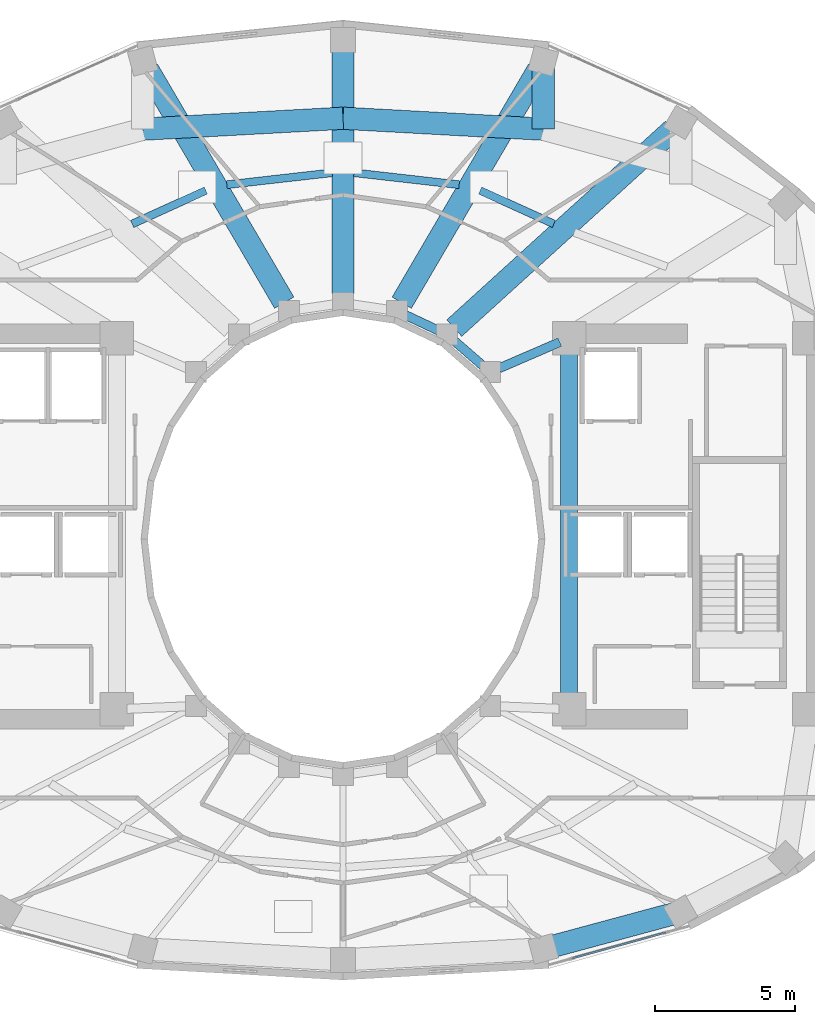
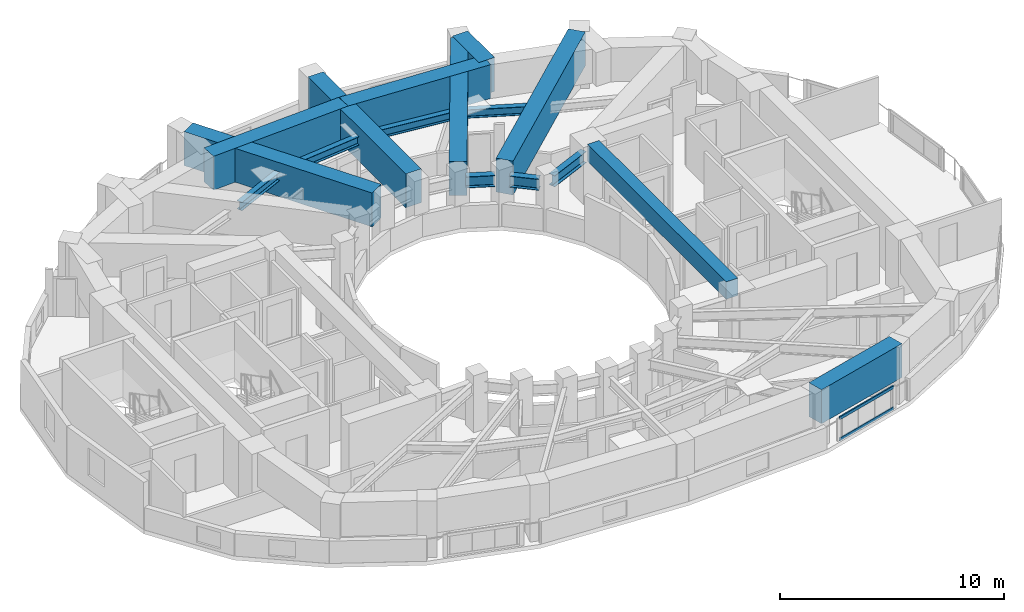
# One storey, part 7 of 20: 16 beams, 2 members, 1 element without a shape of its own.
"""IFC4 building model written with IfcOpenShell, lengths in metres."""

from ifc_helpers import new_model, si_unit, direction, frame, origin, origin_2d, place, context, subcontext, project, spatial, rectangle, hollow_rectangle, i_section, extrude, material, layer, layer_set, material_profile, profile_set, type_object, element, aggregate, save


model = new_model("IFC4")

# Units and contexts
model_context = context("Model", 3, precision=1e-05, world=origin(), true_north=direction((0.0, 1.0)))
body_context = subcontext(model_context, "Body", "Model", "MODEL_VIEW")
ifc_project = project(units=[si_unit("LENGTHUNIT", "METRE"), si_unit("AREAUNIT", "SQUARE_METRE"), si_unit("VOLUMEUNIT", "CUBIC_METRE"), si_unit("PLANEANGLEUNIT", "RADIAN"), si_unit("MASSUNIT", "GRAM", prefix="KILO")], contexts=[model_context])

# Site, building, storey
site_placement = place(None, origin())
site = spatial("IfcSite", under=ifc_project, at=site_placement, CompositionType="ELEMENT")
building_placement = place(site_placement, origin())
building = spatial("IfcBuilding", under=site, at=building_placement, Name="Solvane Sanctuary Tower", CompositionType="ELEMENT")
storey_placement = place(building_placement, frame((0.0, 0.0, 159.10009765625)))
storey = spatial("IfcBuildingStorey", under=building, at=storey_placement, Name="L48", CompositionType="ELEMENT", Elevation=159.10009765625)

# Beams
ifc_material_1 = material(Name="Concrete C70/85", Category="concrete")
ifc_material_profile_1 = material_profile(ifc_material_1, rectangle(XDim=0.60009765625, YDim=0.949951171875, at=origin_2d()), Name="RC600X950")
ifc_profile_set_1 = profile_set([ifc_material_profile_1], Name="Concrete C70/85")
beam_type_1 = type_object("IfcBeamType", Name="Beam B-COUPLE RC600X950", PredefinedType="LINTEL", material=ifc_profile_set_1)
beam_1_placement = place(storey_placement, frame((40.10009765625, 17.35009765625, 2.625), z_axis=(0.0, 1.0, 0.0), x_axis=(-1.0, 0.0, 0.0)))
element("IfcBeam", 1, at=beam_1_placement, inside=storey, type_object=beam_type_1, Name="L48 East Core Coupling Lintel", PredefinedType="LINTEL", context=body_context, shape_type="SweptSolid", body=[
    extrude(rectangle(XDim=0.60009765625, YDim=0.949951171875, at=origin_2d()), origin(), (0.0, 0.0, 1.0), 12.39990234375),
])
ifc_material_2 = material(Name="Steel ASTM A992 Grade 50", Category="steel")
ifc_material_profile_2 = material_profile(ifc_material_2, i_section(OverallWidth=0.324951171875, OverallDepth=0.615966796875, WebThickness=0.013916015625, FlangeThickness=0.021484375, FilletRadius=0.01611328125, at=origin_2d()), Name="W24X117")
ifc_profile_set_2 = profile_set([ifc_material_profile_2], Name="Steel ASTM A992 Grade 50")
beam_type_2 = type_object("IfcBeamType", Name="Beam B-RING-IN2 W24X117", PredefinedType="BEAM", material=ifc_profile_set_2)
beam_2_placement = place(storey_placement, frame((34.2431640625, 31.02490234375, 2.289794921875), z_axis=(0.9051808128, -0.425026700502, 0.0), x_axis=(0.425026700502, 0.9051808128, 0.0)))
element("IfcBeam", 2, at=beam_2_placement, inside=storey, type_object=beam_type_2, Name="L48 Inner Light-Well Ring Beam IC03-IC02", PredefinedType="BEAM", context=body_context, shape_type="SweptSolid", body=[
    extrude(i_section(OverallWidth=0.324951171875, OverallDepth=0.615966796875, WebThickness=0.013916015625, FlangeThickness=0.021484375, FilletRadius=0.01611328125, at=origin_2d()), origin(), (0.0, 0.0, 1.0), 1.297607421875),
])
beam_3_placement = place(storey_placement, frame((35.990234375, 30.10009765625, 2.289794921875), z_axis=(0.754311313851, -0.656516901379, 0.0), x_axis=(0.656516901379, 0.754311313851, 0.0)))
element("IfcBeam", 3, at=beam_3_placement, inside=storey, type_object=beam_type_2, Name="L48 Inner Light-Well Ring Beam IC02-IC01", PredefinedType="BEAM", context=body_context, shape_type="SweptSolid", body=[
    extrude(i_section(OverallWidth=0.324951171875, OverallDepth=0.615966796875, WebThickness=0.013916015625, FlangeThickness=0.021484375, FilletRadius=0.01611328125, at=origin_2d()), origin(), (0.0, 0.0, 1.0), 1.358154296875),
])
beam_4_placement = place(storey_placement, frame((37.591796875, 29.11865234375, 2.289794921875), z_axis=(0.918264067649, 0.395968561966, 0.0), x_axis=(-0.395968561966, 0.918264067649, 0.0)))
element("IfcBeam", 4, at=beam_4_placement, inside=storey, type_object=beam_type_2, Name="L48 Inner Light-Well Ring Beam IC01-CE4", PredefinedType="BEAM", context=body_context, shape_type="SweptSolid", body=[
    extrude(i_section(OverallWidth=0.324951171875, OverallDepth=0.615966796875, WebThickness=0.013916015625, FlangeThickness=0.021484375, FilletRadius=0.01611328125, at=origin_2d()), origin(), (0.0, 0.0, 1.0), 2.371337890625),
])
ifc_material_profile_3 = material_profile(ifc_material_2, i_section(OverallWidth=0.280029296875, OverallDepth=0.462890625, WebThickness=0.0107421875, FlangeThickness=0.017333984375, FilletRadius=0.013916015625, at=origin_2d()), Name="W18X76")
ifc_profile_set_3 = profile_set([ifc_material_profile_3], Name="Steel ASTM A992 Grade 50")
beam_type_3 = type_object("IfcBeamType", Name="Beam B-SEC-JOIST W18X76", PredefinedType="JOIST", material=ifc_profile_set_3)
beam_5_placement = place(storey_placement, frame((24.445556640625, 34.29052734375, 2.366455078125), z_axis=(0.910490411703, 0.413530180516, 0.0), x_axis=(-0.413530180516, 0.910490411703, 0.0)))
element("IfcBeam", 5, at=beam_5_placement, inside=storey, type_object=beam_type_3, Name="L48 Secondary Circumferential Joist 06-05", PredefinedType="JOIST", context=body_context, shape_type="SweptSolid", body=[
    extrude(i_section(OverallWidth=0.280029296875, OverallDepth=0.462890625, WebThickness=0.0107421875, FlangeThickness=0.017333984375, FilletRadius=0.013916015625, at=origin_2d()), origin(), (0.0, 0.0, 1.0), 2.89990234375),
])
for number, where, z_axis, x_axis, name in (
    (6, (27.837890625, 35.697509765625, 2.366455078125), (0.99361640759, 0.112811500162, 0.0), (-0.112811500162, 0.99361640759, 0.0), "L48 Secondary Circumferential Joist 05-04"),
    (7, (32.392578125, 36.12548828125, 2.366455078125), (0.99361640759, -0.112811500162, 0.0), (0.112811500162, 0.99361640759, 0.0), "L48 Secondary Circumferential Joist 04-03"),
):
    element("IfcBeam", number, at=place(storey_placement, frame(where, z_axis=z_axis, x_axis=x_axis)), inside=storey, type_object=beam_type_3, Name=name, PredefinedType="JOIST", context=body_context, shape_type="SweptSolid", body=[
        extrude(i_section(OverallWidth=0.280029296875, OverallDepth=0.462890625, WebThickness=0.0107421875, FlangeThickness=0.017333984375, FilletRadius=0.013916015625, at=origin_2d()), origin(), (0.0, 0.0, 1.0), 3.793701171875),
    ])
beam_6_placement = place(storey_placement, frame((36.9140625, 35.48974609375, 2.366455078125), z_axis=(0.910490411703, -0.413530180516, 0.0), x_axis=(0.413530180516, 0.910490411703, 0.0)))
element("IfcBeam", 8, at=beam_6_placement, inside=storey, type_object=beam_type_3, Name="L48 Secondary Circumferential Joist 03-02", PredefinedType="JOIST", context=body_context, shape_type="SweptSolid", body=[
    extrude(i_section(OverallWidth=0.280029296875, OverallDepth=0.462890625, WebThickness=0.0107421875, FlangeThickness=0.017333984375, FilletRadius=0.013916015625, at=origin_2d()), origin(), (0.0, 0.0, 1.0), 2.89990234375),
])
ifc_material_profile_4 = material_profile(ifc_material_1, rectangle(XDim=0.800048828125, YDim=1.85009765625, at=origin_2d()), Name="RC800X1850")
ifc_profile_set_4 = profile_set([ifc_material_profile_4], Name="Concrete C70/85")
beam_type_4 = type_object("IfcBeamType", Name="Beam B-XFER-BLK RC800X1850", PredefinedType="BEAM", material=ifc_profile_set_4)
beam_7_placement = place(storey_placement, frame((35.9853515625, 30.55859375, 2.1748046875), z_axis=(0.740204975918, 0.672381285898, 0.0), x_axis=(-0.672381285898, 0.740204975918, 0.0)))
element("IfcBeam", 9, at=beam_7_placement, inside=storey, type_object=beam_type_4, Name="L48 Block-Shift Radial Transfer Girder 02A", PredefinedType="BEAM", context=body_context, shape_type="SweptSolid", body=[
    extrude(rectangle(XDim=0.800048828125, YDim=1.85009765625, at=origin_2d()), origin(), (0.0, 0.0, 1.0), 10.590087890625),
])
beam_8_placement = place(storey_placement, frame((34.10498046875, 31.469482421875, 2.1748046875), z_axis=(0.50527045732, 0.862961044868, 0.0), x_axis=(-0.862961044868, 0.50527045732, 0.0)))
element("IfcBeam", 10, at=beam_8_placement, inside=storey, type_object=beam_type_4, Name="L48 Block-Shift Radial Transfer Girder 03A", PredefinedType="BEAM", context=body_context, shape_type="SweptSolid", body=[
    extrude(rectangle(XDim=0.800048828125, YDim=1.85009765625, at=origin_2d()), origin(), (0.0, 0.0, 1.0), 9.6708984375),
])
beam_9_placement = place(storey_placement, frame((39.17822265625, 40.084716796875, 2.1748046875), z_axis=(0.0, -1.0, 0.0), x_axis=(1.0, 0.0, 0.0)))
element("IfcBeam", 11, at=beam_9_placement, inside=storey, type_object=beam_type_4, Name="L48 Block-Shift Transfer Tie 03B", PredefinedType="BEAM", context=body_context, shape_type="SweptSolid", body=[
    extrude(rectangle(XDim=0.800048828125, YDim=1.85009765625, at=origin_2d()), origin(), (0.0, 0.0, 1.0), 2.39794921875),
])
beam_10_placement = place(storey_placement, frame((32.0, 31.804931640625, 2.1748046875), z_axis=(0.0, 1.0, 0.0), x_axis=(-1.0, 0.0, 0.0)))
element("IfcBeam", 12, at=beam_10_placement, inside=storey, type_object=beam_type_4, Name="L48 Block-Shift Radial Transfer Girder 04A", PredefinedType="BEAM", context=body_context, shape_type="SweptSolid", body=[
    extrude(rectangle(XDim=0.800048828125, YDim=1.85009765625, at=origin_2d()), origin(), (0.0, 0.0, 1.0), 8.7451171875),
])
beam_11_placement = place(storey_placement, frame((29.89501953125, 31.469482421875, 2.1748046875), z_axis=(-0.50527045732, 0.862961044868, 0.0), x_axis=(-0.862961044868, -0.50527045732, 0.0)))
element("IfcBeam", 13, at=beam_11_placement, inside=storey, type_object=beam_type_4, Name="L48 Block-Shift Radial Transfer Girder 05A", PredefinedType="BEAM", context=body_context, shape_type="SweptSolid", body=[
    extrude(rectangle(XDim=0.800048828125, YDim=1.85009765625, at=origin_2d()), origin(), (0.0, 0.0, 1.0), 9.6708984375),
])
for number, where, z_axis, x_axis, name in (
    (14, (24.82177734375, 37.686767578125, 2.1748046875), (0.998502279385, 0.054710127613, 0.0), (-0.054710127613, 0.998502279385, 0.0), "L48 Perimeter Step Transfer Ring NTC05-NTC04"),
    (15, (32.0, 38.080078125, 2.1748046875), (0.998502279385, -0.054710127613, 0.0), (0.054710127613, 0.998502279385, 0.0), "L48 Perimeter Step Transfer Ring NTC04-NTC03"),
):
    element("IfcBeam", number, at=place(storey_placement, frame(where, z_axis=z_axis, x_axis=x_axis)), inside=storey, type_object=beam_type_4, Name=name, PredefinedType="BEAM", context=body_context, shape_type="SweptSolid", body=[
        extrude(rectangle(XDim=0.800048828125, YDim=1.85009765625, at=origin_2d()), origin(), (0.0, 0.0, 1.0), 7.18896484375),
    ])
beam_12_placement = place(storey_placement, frame((39.17822265625, 8.313232421875, 2.1748046875), z_axis=(0.965477774792, 0.260485443705, 0.0), x_axis=(-0.260485443705, 0.965477774792, 0.0)))
element("IfcBeam", 16, at=beam_12_placement, inside=storey, type_object=beam_type_4, Name="L48 Perimeter Step Transfer Ring NTC12-NTC13", PredefinedType="BEAM", context=body_context, shape_type="SweptSolid", body=[
    extrude(rectangle(XDim=0.800048828125, YDim=1.85009765625, at=origin_2d()), origin(), (0.0, 0.0, 1.0), 5.095947265625),
])

# Curtain wall, members
ifc_material_3 = material(Name="Anodised Aluminium 6063-T6", Category="aluminium")
ifc_layer = layer(ifc_material_3, 0.179931640625, Name="Anodised Aluminium 6063-T6")
ifc_layer_set = layer_set([ifc_layer], Name="Anodised Aluminium 6063-T6")
curtain_wall_type = type_object("IfcCurtainWallType", Name="Curtain Wall CW-FRIT-Z2", PredefinedType="NOTDEFINED", material=ifc_layer_set)
curtain_wall_placement = place(storey_placement, origin())
curtain_wall = element("IfcCurtainWall", 17, at=curtain_wall_placement, inside=storey, type_object=curtain_wall_type, Name="L48 CW-FRIT-Z2 Facade Run 19", PredefinedType="NOTDEFINED")
ifc_material_profile_5 = material_profile(ifc_material_3, hollow_rectangle(XDim=0.06494140625, YDim=0.159912109375, WallThickness=0.00341796875, at=origin_2d()), Name="ALU160X65X3.5")
ifc_profile_set_5 = profile_set([ifc_material_profile_5], Name="Anodised Aluminium 6063-T6")
member_type = type_object("IfcMemberType", Name="Member M-CW-TRN-1 ALU160X65X3.5", PredefinedType="USERDEFINED", material=ifc_profile_set_5)
member_1_placement = place(storey_placement, frame((40.227783203125, 7.9814453125, 0.032470703125), z_axis=(0.963960051492, 0.266047024278, 0.0), x_axis=(-0.266047024278, 0.963960051492, 0.0)))
member_1 = element("IfcMember", 18, at=member_1_placement, type_object=member_type, Name="CW-FRIT-Z2 transom 1.1", ObjectType="TRANSOM", PredefinedType="USERDEFINED", context=body_context, shape_type="SweptSolid", body=[
    extrude(hollow_rectangle(XDim=0.06494140625, YDim=0.159912109375, WallThickness=0.00341796875, at=origin_2d()), origin(), (0.0, 0.0, 1.0), 3.44677734375),
])
member_2_placement = place(storey_placement, frame((40.227783203125, 7.9814453125, 1.1875), z_axis=(0.963960051492, 0.266047024278, 0.0), x_axis=(-0.266047024278, 0.963960051492, 0.0)))
member_2 = element("IfcMember", 19, at=member_2_placement, type_object=member_type, Name="CW-FRIT-Z2 transom 1.2", ObjectType="TRANSOM", PredefinedType="USERDEFINED", context=body_context, shape_type="SweptSolid", body=[
    extrude(hollow_rectangle(XDim=0.06494140625, YDim=0.159912109375, WallThickness=0.00341796875, at=origin_2d()), origin(), (0.0, 0.0, 1.0), 3.44677734375),
])
aggregate(curtain_wall, [member_1, member_2])

save(model, "model.ifc")
